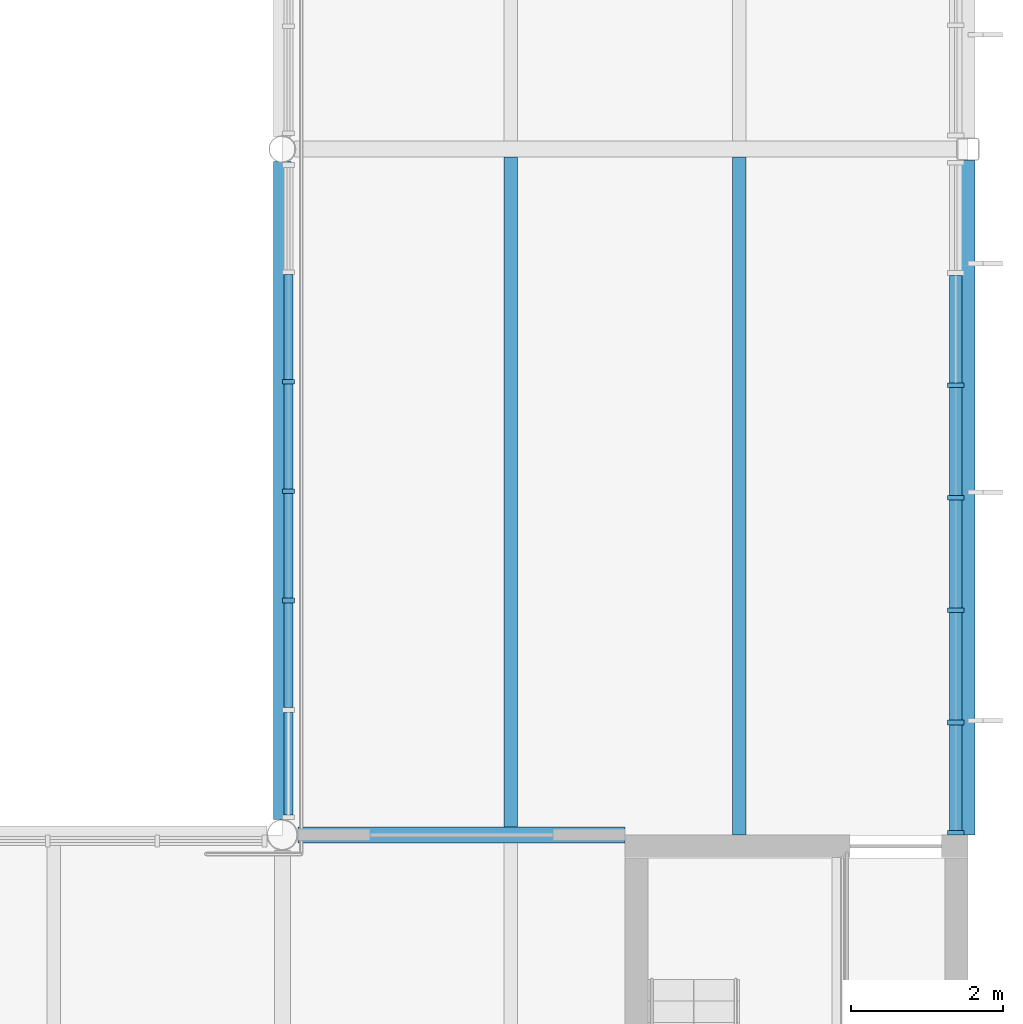
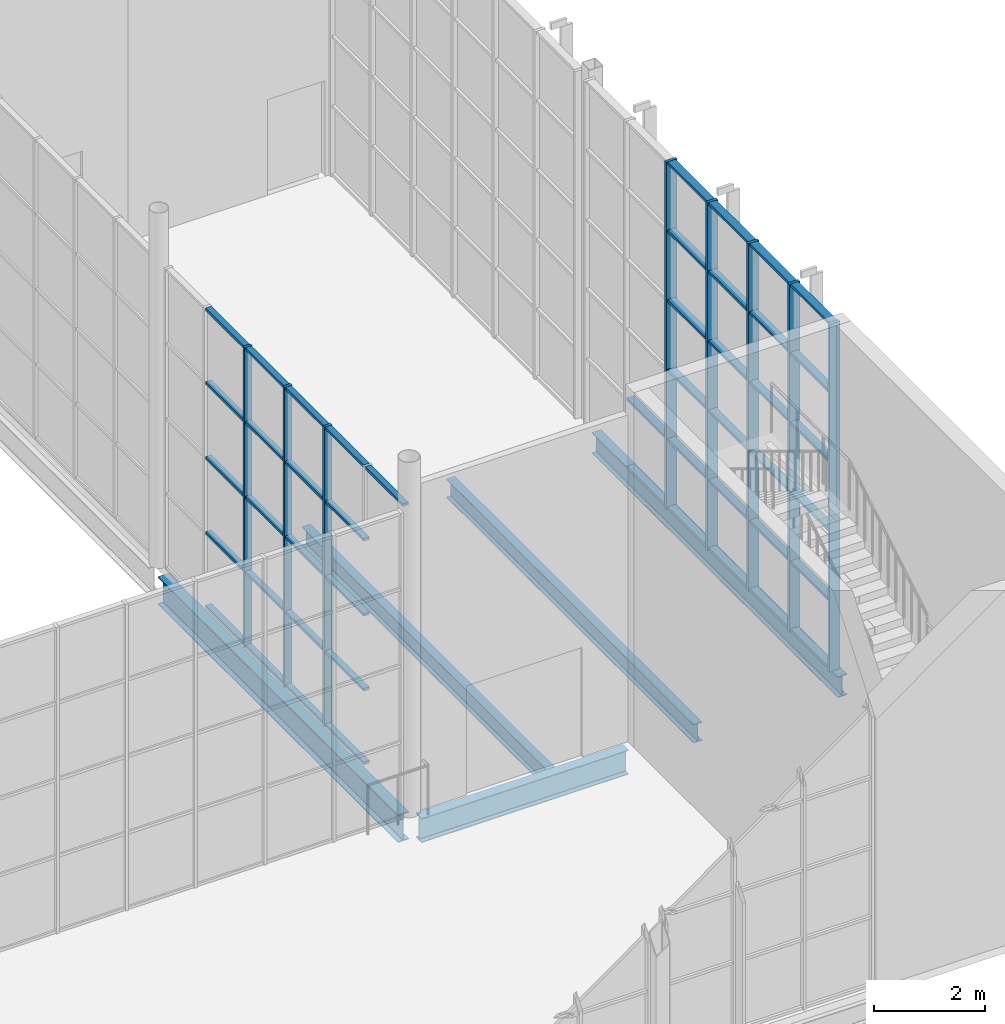
# One storey, part 56 of 90: 55 members, 5 beams, 2 elements without a shape of their own.
"""IFC4 building model written with IfcOpenShell, lengths in metres."""

from ifc_helpers import new_model, si_unit, direction, frame, origin, origin_2d, place, context, subcontext, project, spatial, rectangle, i_section, extrude, material, layer, layer_set, material_profile, profile_set, type_object, element, aggregate, save


model = new_model("IFC4")

# Units and contexts
model_context = context("Model", 3, precision=1e-05, world=origin(), true_north=direction((0.0, 1.0)))
body_context = subcontext(model_context, "Body", "Model", "MODEL_VIEW")
ifc_project = project(units=[si_unit("LENGTHUNIT", "METRE"), si_unit("AREAUNIT", "SQUARE_METRE"), si_unit("VOLUMEUNIT", "CUBIC_METRE"), si_unit("PLANEANGLEUNIT", "RADIAN"), si_unit("MASSUNIT", "GRAM", prefix="KILO")], contexts=[model_context])

# Site, building, storey
site_placement = place(None, origin())
site = spatial("IfcSite", under=ifc_project, at=site_placement, CompositionType="ELEMENT")
building_placement = place(site_placement, origin())
building = spatial("IfcBuilding", under=site, at=building_placement, Name="Halyard Row Museum", CompositionType="ELEMENT")
storey_placement = place(building_placement, frame((0.0, 0.0, 13.39990234375)))
storey = spatial("IfcBuildingStorey", under=building, at=storey_placement, Name="L03", CompositionType="ELEMENT", Elevation=13.39990234375)

# Curtain wall, members
ifc_material_1 = material(Name="Double glazed unit, low-emissivity", Category="glass")
ifc_layer_1 = layer(ifc_material_1, 0.219970703125)
ifc_layer_set_1 = layer_set([ifc_layer_1], Name="Double glazed unit, low-emissivity")
curtain_wall_type_1 = type_object("IfcCurtainWallType", Name="Curtain wall unitised 220 deep", PredefinedType="NOTDEFINED", material=ifc_layer_set_1)
curtain_wall_1_placement = place(storey_placement, origin())
curtain_wall_1 = element("IfcCurtainWall", 1, at=curtain_wall_1_placement, inside=storey, type_object=curtain_wall_type_1, Name="Curtain wall CW048", PredefinedType="NOTDEFINED")
ifc_material_2 = material(Name="Powder-coated aluminium section", Category="aluminium")
ifc_material_profile_1 = material_profile(ifc_material_2, rectangle(XDim=0.219970703125, YDim=0.06005859375, at=origin_2d()), Name="220x60 mullion")
ifc_profile_set_1 = profile_set([ifc_material_profile_1], Name="Powder-coated aluminium section")
member_type_1 = type_object("IfcMemberType", Name="Curtain wall mullion CM3 60 x 220", PredefinedType="MULLION", material=ifc_profile_set_1)
member_1_placement = place(storey_placement, frame((107.840087890625, 9.030029296875, 0.0), z_axis=(0.0, 0.0, 1.0), x_axis=(-1.0, 0.0, 0.0)))
member_1 = element("IfcMember", 2, at=member_1_placement, type_object=member_type_1, Name="CW048 mullion 1", PredefinedType="MULLION", context=body_context, shape_type="SweptSolid", body=[
    extrude(rectangle(XDim=0.219970703125, YDim=0.06005859375, at=origin_2d()), origin(), (0.0, 0.0, 1.0), 7.635009765625),
])
member_2_placement = place(storey_placement, frame((107.840087890625, 10.47509765625, 0.0), z_axis=(0.0, 0.0, 1.0), x_axis=(-1.0, 0.0, 0.0)))
member_2 = element("IfcMember", 3, at=member_2_placement, type_object=member_type_1, Name="CW048 mullion 2", PredefinedType="MULLION", context=body_context, shape_type="SweptSolid", body=[
    extrude(rectangle(XDim=0.219970703125, YDim=0.06005859375, at=origin_2d()), origin(), (0.0, 0.0, 1.0), 7.635009765625),
])
member_3_placement = place(storey_placement, frame((107.840087890625, 11.949951171875, 0.0), z_axis=(0.0, 0.0, 1.0), x_axis=(-1.0, 0.0, 0.0)))
member_3 = element("IfcMember", 4, at=member_3_placement, type_object=member_type_1, Name="CW048 mullion 3", PredefinedType="MULLION", context=body_context, shape_type="SweptSolid", body=[
    extrude(rectangle(XDim=0.219970703125, YDim=0.06005859375, at=origin_2d()), origin(), (0.0, 0.0, 1.0), 7.635009765625),
])
member_4_placement = place(storey_placement, frame((107.840087890625, 13.425048828125, 0.0), z_axis=(0.0, 0.0, 1.0), x_axis=(-1.0, 0.0, 0.0)))
member_4 = element("IfcMember", 5, at=member_4_placement, type_object=member_type_1, Name="CW048 mullion 4", PredefinedType="MULLION", context=body_context, shape_type="SweptSolid", body=[
    extrude(rectangle(XDim=0.219970703125, YDim=0.06005859375, at=origin_2d()), origin(), (0.0, 0.0, 1.0), 7.635009765625),
])
member_5_placement = place(storey_placement, frame((107.840087890625, 14.89990234375, 0.0), z_axis=(0.0, 0.0, 1.0), x_axis=(-1.0, 0.0, 0.0)))
member_5 = element("IfcMember", 6, at=member_5_placement, type_object=member_type_1, Name="CW048 mullion 5", PredefinedType="MULLION", context=body_context, shape_type="SweptSolid", body=[
    extrude(rectangle(XDim=0.219970703125, YDim=0.06005859375, at=origin_2d()), origin(), (0.0, 0.0, 1.0), 7.635009765625),
])

ifc_material_3 = material(Name="Fire-resisting laminated glazing", Category="glass")
ifc_layer_2 = layer(ifc_material_3, 0.159912109375)
ifc_layer_set_2 = layer_set([ifc_layer_2], Name="Fire-resisting laminated glazing")
curtain_wall_type_2 = type_object("IfcCurtainWallType", Name="Curtain wall atrium screen 160 deep", PredefinedType="NOTDEFINED", material=ifc_layer_set_2)
curtain_wall_2_placement = place(storey_placement, origin())
curtain_wall_2 = element("IfcCurtainWall", 7, at=curtain_wall_2_placement, inside=storey, type_object=curtain_wall_type_2, Name="Curtain wall CW096", PredefinedType="NOTDEFINED")
ifc_material_4 = material(Name="Powder-coated aluminium section", Category="aluminium")
ifc_material_profile_2 = material_profile(ifc_material_4, rectangle(XDim=0.159912109375, YDim=0.06005859375, at=origin_2d()), Name="160x60 mullion")
ifc_profile_set_2 = profile_set([ifc_material_profile_2], Name="Powder-coated aluminium section")
member_type_2 = type_object("IfcMemberType", Name="Curtain wall mullion CM5 60 x 160", PredefinedType="MULLION", material=ifc_profile_set_2)
member_6_placement = place(storey_placement, frame((99.080078125, 12.076171875, 0.0), z_axis=(0.0, 0.0, 1.0), x_axis=(-1.0, 0.0, 0.0)))
member_6 = element("IfcMember", 8, at=member_6_placement, type_object=member_type_2, Name="CW096 mullion 3", PredefinedType="MULLION", context=body_context, shape_type="SweptSolid", body=[
    extrude(rectangle(XDim=0.159912109375, YDim=0.06005859375, at=origin_2d()), origin(), (0.0, 0.0, 1.0), 6.585205078125),
])
member_7_placement = place(storey_placement, frame((99.080078125, 13.5126953125, 0.0), z_axis=(0.0, 0.0, 1.0), x_axis=(-1.0, 0.0, 0.0)))
member_7 = element("IfcMember", 9, at=member_7_placement, type_object=member_type_2, Name="CW096 mullion 4", PredefinedType="MULLION", context=body_context, shape_type="SweptSolid", body=[
    extrude(rectangle(XDim=0.159912109375, YDim=0.06005859375, at=origin_2d()), origin(), (0.0, 0.0, 1.0), 6.585205078125),
])
member_8_placement = place(storey_placement, frame((99.080078125, 14.94921875, 0.0), z_axis=(0.0, 0.0, 1.0), x_axis=(-1.0, 0.0, 0.0)))
member_8 = element("IfcMember", 10, at=member_8_placement, type_object=member_type_2, Name="CW096 mullion 5", PredefinedType="MULLION", context=body_context, shape_type="SweptSolid", body=[
    extrude(rectangle(XDim=0.159912109375, YDim=0.06005859375, at=origin_2d()), origin(), (0.0, 0.0, 1.0), 6.585205078125),
])

# Member
ifc_material_5 = material(Name="Powder-coated aluminium section", Category="aluminium")
ifc_material_profile_3 = material_profile(ifc_material_5, rectangle(XDim=0.159912109375, YDim=0.06005859375, at=origin_2d()), Name="160x60 transom")
ifc_profile_set_3 = profile_set([ifc_material_profile_3], Name="Powder-coated aluminium section")
member_type_3 = type_object("IfcMemberType", Name="Curtain wall transom CT3 60 x 160", PredefinedType="USERDEFINED", material=ifc_profile_set_3)
member_9_placement = place(storey_placement, frame((107.840087890625, 9.06005859375, 0.030029296875), z_axis=(0.0, 1.0, 0.0), x_axis=(-1.0, 0.0, 0.0)))
member_9 = element("IfcMember", 11, at=member_9_placement, type_object=member_type_3, Name="CW048 transom 1.1", ObjectType="TRANSOM", PredefinedType="USERDEFINED", context=body_context, shape_type="SweptSolid", body=[
    extrude(rectangle(XDim=0.159912109375, YDim=0.06005859375, at=origin_2d()), origin(), (0.0, 0.0, 1.0), 1.385009765625),
])

member_10_placement = place(storey_placement, frame((107.840087890625, 9.06005859375, 1.527099609375), z_axis=(0.0, 1.0, 0.0), x_axis=(-1.0, 0.0, 0.0)))
member_10 = element("IfcMember", 12, at=member_10_placement, type_object=member_type_3, Name="CW048 transom 1.2", ObjectType="TRANSOM", PredefinedType="USERDEFINED", context=body_context, shape_type="SweptSolid", body=[
    extrude(rectangle(XDim=0.159912109375, YDim=0.06005859375, at=origin_2d()), origin(), (0.0, 0.0, 1.0), 1.385009765625),
])

member_11_placement = place(storey_placement, frame((107.840087890625, 9.06005859375, 3.05419921875), z_axis=(0.0, 1.0, 0.0), x_axis=(-1.0, 0.0, 0.0)))
member_11 = element("IfcMember", 13, at=member_11_placement, type_object=member_type_3, Name="CW048 transom 1.3", ObjectType="TRANSOM", PredefinedType="USERDEFINED", context=body_context, shape_type="SweptSolid", body=[
    extrude(rectangle(XDim=0.159912109375, YDim=0.06005859375, at=origin_2d()), origin(), (0.0, 0.0, 1.0), 1.385009765625),
])

member_12_placement = place(storey_placement, frame((107.840087890625, 9.06005859375, 4.5810546875), z_axis=(0.0, 1.0, 0.0), x_axis=(-1.0, 0.0, 0.0)))
member_12 = element("IfcMember", 14, at=member_12_placement, type_object=member_type_3, Name="CW048 transom 1.4", ObjectType="TRANSOM", PredefinedType="USERDEFINED", context=body_context, shape_type="SweptSolid", body=[
    extrude(rectangle(XDim=0.159912109375, YDim=0.06005859375, at=origin_2d()), origin(), (0.0, 0.0, 1.0), 1.385009765625),
])

member_13_placement = place(storey_placement, frame((107.840087890625, 9.06005859375, 6.108154296875), z_axis=(0.0, 1.0, 0.0), x_axis=(-1.0, 0.0, 0.0)))
member_13 = element("IfcMember", 15, at=member_13_placement, type_object=member_type_3, Name="CW048 transom 1.5", ObjectType="TRANSOM", PredefinedType="USERDEFINED", context=body_context, shape_type="SweptSolid", body=[
    extrude(rectangle(XDim=0.159912109375, YDim=0.06005859375, at=origin_2d()), origin(), (0.0, 0.0, 1.0), 1.385009765625),
])

member_14_placement = place(storey_placement, frame((107.840087890625, 9.06005859375, 7.60498046875), z_axis=(0.0, 1.0, 0.0), x_axis=(-1.0, 0.0, 0.0)))
member_14 = element("IfcMember", 16, at=member_14_placement, type_object=member_type_3, Name="CW048 transom 1.6", ObjectType="TRANSOM", PredefinedType="USERDEFINED", context=body_context, shape_type="SweptSolid", body=[
    extrude(rectangle(XDim=0.159912109375, YDim=0.06005859375, at=origin_2d()), origin(), (0.0, 0.0, 1.0), 1.385009765625),
])

member_15_placement = place(storey_placement, frame((107.840087890625, 10.5048828125, 0.030029296875), z_axis=(0.0, 1.0, 0.0), x_axis=(-1.0, 0.0, 0.0)))
member_15 = element("IfcMember", 17, at=member_15_placement, type_object=member_type_3, Name="CW048 transom 2.1", ObjectType="TRANSOM", PredefinedType="USERDEFINED", context=body_context, shape_type="SweptSolid", body=[
    extrude(rectangle(XDim=0.159912109375, YDim=0.06005859375, at=origin_2d()), origin(), (0.0, 0.0, 1.0), 1.4150390625),
])

member_16_placement = place(storey_placement, frame((107.840087890625, 10.5048828125, 1.527099609375), z_axis=(0.0, 1.0, 0.0), x_axis=(-1.0, 0.0, 0.0)))
member_16 = element("IfcMember", 18, at=member_16_placement, type_object=member_type_3, Name="CW048 transom 2.2", ObjectType="TRANSOM", PredefinedType="USERDEFINED", context=body_context, shape_type="SweptSolid", body=[
    extrude(rectangle(XDim=0.159912109375, YDim=0.06005859375, at=origin_2d()), origin(), (0.0, 0.0, 1.0), 1.4150390625),
])

member_17_placement = place(storey_placement, frame((107.840087890625, 10.5048828125, 3.05419921875), z_axis=(0.0, 1.0, 0.0), x_axis=(-1.0, 0.0, 0.0)))
member_17 = element("IfcMember", 19, at=member_17_placement, type_object=member_type_3, Name="CW048 transom 2.3", ObjectType="TRANSOM", PredefinedType="USERDEFINED", context=body_context, shape_type="SweptSolid", body=[
    extrude(rectangle(XDim=0.159912109375, YDim=0.06005859375, at=origin_2d()), origin(), (0.0, 0.0, 1.0), 1.4150390625),
])

member_18_placement = place(storey_placement, frame((107.840087890625, 10.5048828125, 4.5810546875), z_axis=(0.0, 1.0, 0.0), x_axis=(-1.0, 0.0, 0.0)))
member_18 = element("IfcMember", 20, at=member_18_placement, type_object=member_type_3, Name="CW048 transom 2.4", ObjectType="TRANSOM", PredefinedType="USERDEFINED", context=body_context, shape_type="SweptSolid", body=[
    extrude(rectangle(XDim=0.159912109375, YDim=0.06005859375, at=origin_2d()), origin(), (0.0, 0.0, 1.0), 1.4150390625),
])

member_19_placement = place(storey_placement, frame((107.840087890625, 10.5048828125, 6.108154296875), z_axis=(0.0, 1.0, 0.0), x_axis=(-1.0, 0.0, 0.0)))
member_19 = element("IfcMember", 21, at=member_19_placement, type_object=member_type_3, Name="CW048 transom 2.5", ObjectType="TRANSOM", PredefinedType="USERDEFINED", context=body_context, shape_type="SweptSolid", body=[
    extrude(rectangle(XDim=0.159912109375, YDim=0.06005859375, at=origin_2d()), origin(), (0.0, 0.0, 1.0), 1.4150390625),
])

member_20_placement = place(storey_placement, frame((107.840087890625, 10.5048828125, 7.60498046875), z_axis=(0.0, 1.0, 0.0), x_axis=(-1.0, 0.0, 0.0)))
member_20 = element("IfcMember", 22, at=member_20_placement, type_object=member_type_3, Name="CW048 transom 2.6", ObjectType="TRANSOM", PredefinedType="USERDEFINED", context=body_context, shape_type="SweptSolid", body=[
    extrude(rectangle(XDim=0.159912109375, YDim=0.06005859375, at=origin_2d()), origin(), (0.0, 0.0, 1.0), 1.4150390625),
])

member_21_placement = place(storey_placement, frame((107.840087890625, 11.97998046875, 0.030029296875), z_axis=(0.0, 1.0, 0.0), x_axis=(-1.0, 0.0, 0.0)))
member_21 = element("IfcMember", 23, at=member_21_placement, type_object=member_type_3, Name="CW048 transom 3.1", ObjectType="TRANSOM", PredefinedType="USERDEFINED", context=body_context, shape_type="SweptSolid", body=[
    extrude(rectangle(XDim=0.159912109375, YDim=0.06005859375, at=origin_2d()), origin(), (0.0, 0.0, 1.0), 1.4150390625),
])

member_22_placement = place(storey_placement, frame((107.840087890625, 11.97998046875, 1.527099609375), z_axis=(0.0, 1.0, 0.0), x_axis=(-1.0, 0.0, 0.0)))
member_22 = element("IfcMember", 24, at=member_22_placement, type_object=member_type_3, Name="CW048 transom 3.2", ObjectType="TRANSOM", PredefinedType="USERDEFINED", context=body_context, shape_type="SweptSolid", body=[
    extrude(rectangle(XDim=0.159912109375, YDim=0.06005859375, at=origin_2d()), origin(), (0.0, 0.0, 1.0), 1.4150390625),
])

member_23_placement = place(storey_placement, frame((107.840087890625, 11.97998046875, 3.05419921875), z_axis=(0.0, 1.0, 0.0), x_axis=(-1.0, 0.0, 0.0)))
member_23 = element("IfcMember", 25, at=member_23_placement, type_object=member_type_3, Name="CW048 transom 3.3", ObjectType="TRANSOM", PredefinedType="USERDEFINED", context=body_context, shape_type="SweptSolid", body=[
    extrude(rectangle(XDim=0.159912109375, YDim=0.06005859375, at=origin_2d()), origin(), (0.0, 0.0, 1.0), 1.4150390625),
])

member_24_placement = place(storey_placement, frame((107.840087890625, 11.97998046875, 4.5810546875), z_axis=(0.0, 1.0, 0.0), x_axis=(-1.0, 0.0, 0.0)))
member_24 = element("IfcMember", 26, at=member_24_placement, type_object=member_type_3, Name="CW048 transom 3.4", ObjectType="TRANSOM", PredefinedType="USERDEFINED", context=body_context, shape_type="SweptSolid", body=[
    extrude(rectangle(XDim=0.159912109375, YDim=0.06005859375, at=origin_2d()), origin(), (0.0, 0.0, 1.0), 1.4150390625),
])

member_25_placement = place(storey_placement, frame((107.840087890625, 11.97998046875, 6.108154296875), z_axis=(0.0, 1.0, 0.0), x_axis=(-1.0, 0.0, 0.0)))
member_25 = element("IfcMember", 27, at=member_25_placement, type_object=member_type_3, Name="CW048 transom 3.5", ObjectType="TRANSOM", PredefinedType="USERDEFINED", context=body_context, shape_type="SweptSolid", body=[
    extrude(rectangle(XDim=0.159912109375, YDim=0.06005859375, at=origin_2d()), origin(), (0.0, 0.0, 1.0), 1.4150390625),
])

member_26_placement = place(storey_placement, frame((107.840087890625, 11.97998046875, 7.60498046875), z_axis=(0.0, 1.0, 0.0), x_axis=(-1.0, 0.0, 0.0)))
member_26 = element("IfcMember", 28, at=member_26_placement, type_object=member_type_3, Name="CW048 transom 3.6", ObjectType="TRANSOM", PredefinedType="USERDEFINED", context=body_context, shape_type="SweptSolid", body=[
    extrude(rectangle(XDim=0.159912109375, YDim=0.06005859375, at=origin_2d()), origin(), (0.0, 0.0, 1.0), 1.4150390625),
])

member_27_placement = place(storey_placement, frame((107.840087890625, 13.455078125, 0.030029296875), z_axis=(0.0, 1.0, 0.0), x_axis=(-1.0, 0.0, 0.0)))
member_27 = element("IfcMember", 29, at=member_27_placement, type_object=member_type_3, Name="CW048 transom 4.1", ObjectType="TRANSOM", PredefinedType="USERDEFINED", context=body_context, shape_type="SweptSolid", body=[
    extrude(rectangle(XDim=0.159912109375, YDim=0.06005859375, at=origin_2d()), origin(), (0.0, 0.0, 1.0), 1.4150390625),
])

member_28_placement = place(storey_placement, frame((107.840087890625, 13.455078125, 1.527099609375), z_axis=(0.0, 1.0, 0.0), x_axis=(-1.0, 0.0, 0.0)))
member_28 = element("IfcMember", 30, at=member_28_placement, type_object=member_type_3, Name="CW048 transom 4.2", ObjectType="TRANSOM", PredefinedType="USERDEFINED", context=body_context, shape_type="SweptSolid", body=[
    extrude(rectangle(XDim=0.159912109375, YDim=0.06005859375, at=origin_2d()), origin(), (0.0, 0.0, 1.0), 1.4150390625),
])

member_29_placement = place(storey_placement, frame((107.840087890625, 13.455078125, 3.05419921875), z_axis=(0.0, 1.0, 0.0), x_axis=(-1.0, 0.0, 0.0)))
member_29 = element("IfcMember", 31, at=member_29_placement, type_object=member_type_3, Name="CW048 transom 4.3", ObjectType="TRANSOM", PredefinedType="USERDEFINED", context=body_context, shape_type="SweptSolid", body=[
    extrude(rectangle(XDim=0.159912109375, YDim=0.06005859375, at=origin_2d()), origin(), (0.0, 0.0, 1.0), 1.4150390625),
])

member_30_placement = place(storey_placement, frame((107.840087890625, 13.455078125, 4.5810546875), z_axis=(0.0, 1.0, 0.0), x_axis=(-1.0, 0.0, 0.0)))
member_30 = element("IfcMember", 32, at=member_30_placement, type_object=member_type_3, Name="CW048 transom 4.4", ObjectType="TRANSOM", PredefinedType="USERDEFINED", context=body_context, shape_type="SweptSolid", body=[
    extrude(rectangle(XDim=0.159912109375, YDim=0.06005859375, at=origin_2d()), origin(), (0.0, 0.0, 1.0), 1.4150390625),
])

member_31_placement = place(storey_placement, frame((107.840087890625, 13.455078125, 6.108154296875), z_axis=(0.0, 1.0, 0.0), x_axis=(-1.0, 0.0, 0.0)))
member_31 = element("IfcMember", 33, at=member_31_placement, type_object=member_type_3, Name="CW048 transom 4.5", ObjectType="TRANSOM", PredefinedType="USERDEFINED", context=body_context, shape_type="SweptSolid", body=[
    extrude(rectangle(XDim=0.159912109375, YDim=0.06005859375, at=origin_2d()), origin(), (0.0, 0.0, 1.0), 1.4150390625),
])

member_32_placement = place(storey_placement, frame((107.840087890625, 13.455078125, 7.60498046875), z_axis=(0.0, 1.0, 0.0), x_axis=(-1.0, 0.0, 0.0)))
member_32 = element("IfcMember", 34, at=member_32_placement, type_object=member_type_3, Name="CW048 transom 4.6", ObjectType="TRANSOM", PredefinedType="USERDEFINED", context=body_context, shape_type="SweptSolid", body=[
    extrude(rectangle(XDim=0.159912109375, YDim=0.06005859375, at=origin_2d()), origin(), (0.0, 0.0, 1.0), 1.4150390625),
])

member_33_placement = place(storey_placement, frame((107.840087890625, 14.929931640625, 0.030029296875), z_axis=(0.0, 1.0, 0.0), x_axis=(-1.0, 0.0, 0.0)))
member_33 = element("IfcMember", 35, at=member_33_placement, type_object=member_type_3, Name="CW048 transom 5.1", ObjectType="TRANSOM", PredefinedType="USERDEFINED", context=body_context, shape_type="SweptSolid", body=[
    extrude(rectangle(XDim=0.159912109375, YDim=0.06005859375, at=origin_2d()), origin(), (0.0, 0.0, 1.0), 1.4150390625),
])

member_34_placement = place(storey_placement, frame((107.840087890625, 14.929931640625, 1.527099609375), z_axis=(0.0, 1.0, 0.0), x_axis=(-1.0, 0.0, 0.0)))
member_34 = element("IfcMember", 36, at=member_34_placement, type_object=member_type_3, Name="CW048 transom 5.2", ObjectType="TRANSOM", PredefinedType="USERDEFINED", context=body_context, shape_type="SweptSolid", body=[
    extrude(rectangle(XDim=0.159912109375, YDim=0.06005859375, at=origin_2d()), origin(), (0.0, 0.0, 1.0), 1.4150390625),
])

aggregate(curtain_wall_1, [member_1, member_2, member_3, member_4, member_5, member_9, member_10, member_11, member_12, member_13, member_14, member_15, member_16, member_17, member_18, member_19, member_20, member_21, member_22, member_23, member_24, member_25, member_26, member_27, member_28, member_29, member_30, member_31, member_32, member_33, member_34])

ifc_material_6 = material(Name="Powder-coated aluminium section", Category="aluminium")
ifc_material_profile_4 = material_profile(ifc_material_6, rectangle(XDim=0.1201171875, YDim=0.06005859375, at=origin_2d()), Name="120x60 transom")
ifc_profile_set_4 = profile_set([ifc_material_profile_4], Name="Powder-coated aluminium section")
member_type_4 = type_object("IfcMemberType", Name="Curtain wall transom CT5 60 x 120", PredefinedType="USERDEFINED", material=ifc_profile_set_4)
member_35_placement = place(storey_placement, frame((99.080078125, 9.26318359375, 6.55517578125), z_axis=(0.0, 1.0, 0.0), x_axis=(-1.0, 0.0, 0.0)))
member_35 = element("IfcMember", 37, at=member_35_placement, type_object=member_type_4, Name="CW096 transom 1.5", ObjectType="TRANSOM", PredefinedType="USERDEFINED", context=body_context, shape_type="SweptSolid", body=[
    extrude(rectangle(XDim=0.1201171875, YDim=0.06005859375, at=origin_2d()), origin(), (0.0, 0.0, 1.0), 1.346435546875),
])

member_36_placement = place(storey_placement, frame((99.080078125, 10.669677734375, 0.030029296875), z_axis=(0.0, 1.0, 0.0), x_axis=(-1.0, 0.0, 0.0)))
member_36 = element("IfcMember", 38, at=member_36_placement, type_object=member_type_4, Name="CW096 transom 2.1", ObjectType="TRANSOM", PredefinedType="USERDEFINED", context=body_context, shape_type="SweptSolid", body=[
    extrude(rectangle(XDim=0.1201171875, YDim=0.06005859375, at=origin_2d()), origin(), (0.0, 0.0, 1.0), 1.37646484375),
])

member_37_placement = place(storey_placement, frame((99.080078125, 10.669677734375, 1.646240234375), z_axis=(0.0, 1.0, 0.0), x_axis=(-1.0, 0.0, 0.0)))
member_37 = element("IfcMember", 39, at=member_37_placement, type_object=member_type_4, Name="CW096 transom 2.2", ObjectType="TRANSOM", PredefinedType="USERDEFINED", context=body_context, shape_type="SweptSolid", body=[
    extrude(rectangle(XDim=0.1201171875, YDim=0.06005859375, at=origin_2d()), origin(), (0.0, 0.0, 1.0), 1.37646484375),
])

member_38_placement = place(storey_placement, frame((99.080078125, 10.669677734375, 3.29248046875), z_axis=(0.0, 1.0, 0.0), x_axis=(-1.0, 0.0, 0.0)))
member_38 = element("IfcMember", 40, at=member_38_placement, type_object=member_type_4, Name="CW096 transom 2.3", ObjectType="TRANSOM", PredefinedType="USERDEFINED", context=body_context, shape_type="SweptSolid", body=[
    extrude(rectangle(XDim=0.1201171875, YDim=0.06005859375, at=origin_2d()), origin(), (0.0, 0.0, 1.0), 1.37646484375),
])

member_39_placement = place(storey_placement, frame((99.080078125, 10.669677734375, 4.93896484375), z_axis=(0.0, 1.0, 0.0), x_axis=(-1.0, 0.0, 0.0)))
member_39 = element("IfcMember", 41, at=member_39_placement, type_object=member_type_4, Name="CW096 transom 2.4", ObjectType="TRANSOM", PredefinedType="USERDEFINED", context=body_context, shape_type="SweptSolid", body=[
    extrude(rectangle(XDim=0.1201171875, YDim=0.06005859375, at=origin_2d()), origin(), (0.0, 0.0, 1.0), 1.37646484375),
])

member_40_placement = place(storey_placement, frame((99.080078125, 10.669677734375, 6.55517578125), z_axis=(0.0, 1.0, 0.0), x_axis=(-1.0, 0.0, 0.0)))
member_40 = element("IfcMember", 42, at=member_40_placement, type_object=member_type_4, Name="CW096 transom 2.5", ObjectType="TRANSOM", PredefinedType="USERDEFINED", context=body_context, shape_type="SweptSolid", body=[
    extrude(rectangle(XDim=0.1201171875, YDim=0.06005859375, at=origin_2d()), origin(), (0.0, 0.0, 1.0), 1.37646484375),
])

member_41_placement = place(storey_placement, frame((99.080078125, 12.106201171875, 0.030029296875), z_axis=(0.0, 1.0, 0.0), x_axis=(-1.0, 0.0, 0.0)))
member_41 = element("IfcMember", 43, at=member_41_placement, type_object=member_type_4, Name="CW096 transom 3.1", ObjectType="TRANSOM", PredefinedType="USERDEFINED", context=body_context, shape_type="SweptSolid", body=[
    extrude(rectangle(XDim=0.1201171875, YDim=0.06005859375, at=origin_2d()), origin(), (0.0, 0.0, 1.0), 1.37646484375),
])

member_42_placement = place(storey_placement, frame((99.080078125, 12.106201171875, 1.646240234375), z_axis=(0.0, 1.0, 0.0), x_axis=(-1.0, 0.0, 0.0)))
member_42 = element("IfcMember", 44, at=member_42_placement, type_object=member_type_4, Name="CW096 transom 3.2", ObjectType="TRANSOM", PredefinedType="USERDEFINED", context=body_context, shape_type="SweptSolid", body=[
    extrude(rectangle(XDim=0.1201171875, YDim=0.06005859375, at=origin_2d()), origin(), (0.0, 0.0, 1.0), 1.37646484375),
])

member_43_placement = place(storey_placement, frame((99.080078125, 12.106201171875, 3.29248046875), z_axis=(0.0, 1.0, 0.0), x_axis=(-1.0, 0.0, 0.0)))
member_43 = element("IfcMember", 45, at=member_43_placement, type_object=member_type_4, Name="CW096 transom 3.3", ObjectType="TRANSOM", PredefinedType="USERDEFINED", context=body_context, shape_type="SweptSolid", body=[
    extrude(rectangle(XDim=0.1201171875, YDim=0.06005859375, at=origin_2d()), origin(), (0.0, 0.0, 1.0), 1.37646484375),
])

member_44_placement = place(storey_placement, frame((99.080078125, 12.106201171875, 4.93896484375), z_axis=(0.0, 1.0, 0.0), x_axis=(-1.0, 0.0, 0.0)))
member_44 = element("IfcMember", 46, at=member_44_placement, type_object=member_type_4, Name="CW096 transom 3.4", ObjectType="TRANSOM", PredefinedType="USERDEFINED", context=body_context, shape_type="SweptSolid", body=[
    extrude(rectangle(XDim=0.1201171875, YDim=0.06005859375, at=origin_2d()), origin(), (0.0, 0.0, 1.0), 1.37646484375),
])

member_45_placement = place(storey_placement, frame((99.080078125, 12.106201171875, 6.55517578125), z_axis=(0.0, 1.0, 0.0), x_axis=(-1.0, 0.0, 0.0)))
member_45 = element("IfcMember", 47, at=member_45_placement, type_object=member_type_4, Name="CW096 transom 3.5", ObjectType="TRANSOM", PredefinedType="USERDEFINED", context=body_context, shape_type="SweptSolid", body=[
    extrude(rectangle(XDim=0.1201171875, YDim=0.06005859375, at=origin_2d()), origin(), (0.0, 0.0, 1.0), 1.37646484375),
])

member_46_placement = place(storey_placement, frame((99.080078125, 13.542724609375, 0.030029296875), z_axis=(0.0, 1.0, 0.0), x_axis=(-1.0, 0.0, 0.0)))
member_46 = element("IfcMember", 48, at=member_46_placement, type_object=member_type_4, Name="CW096 transom 4.1", ObjectType="TRANSOM", PredefinedType="USERDEFINED", context=body_context, shape_type="SweptSolid", body=[
    extrude(rectangle(XDim=0.1201171875, YDim=0.06005859375, at=origin_2d()), origin(), (0.0, 0.0, 1.0), 1.37646484375),
])

member_47_placement = place(storey_placement, frame((99.080078125, 13.542724609375, 1.646240234375), z_axis=(0.0, 1.0, 0.0), x_axis=(-1.0, 0.0, 0.0)))
member_47 = element("IfcMember", 49, at=member_47_placement, type_object=member_type_4, Name="CW096 transom 4.2", ObjectType="TRANSOM", PredefinedType="USERDEFINED", context=body_context, shape_type="SweptSolid", body=[
    extrude(rectangle(XDim=0.1201171875, YDim=0.06005859375, at=origin_2d()), origin(), (0.0, 0.0, 1.0), 1.37646484375),
])

member_48_placement = place(storey_placement, frame((99.080078125, 13.542724609375, 3.29248046875), z_axis=(0.0, 1.0, 0.0), x_axis=(-1.0, 0.0, 0.0)))
member_48 = element("IfcMember", 50, at=member_48_placement, type_object=member_type_4, Name="CW096 transom 4.3", ObjectType="TRANSOM", PredefinedType="USERDEFINED", context=body_context, shape_type="SweptSolid", body=[
    extrude(rectangle(XDim=0.1201171875, YDim=0.06005859375, at=origin_2d()), origin(), (0.0, 0.0, 1.0), 1.37646484375),
])

member_49_placement = place(storey_placement, frame((99.080078125, 13.542724609375, 4.93896484375), z_axis=(0.0, 1.0, 0.0), x_axis=(-1.0, 0.0, 0.0)))
member_49 = element("IfcMember", 51, at=member_49_placement, type_object=member_type_4, Name="CW096 transom 4.4", ObjectType="TRANSOM", PredefinedType="USERDEFINED", context=body_context, shape_type="SweptSolid", body=[
    extrude(rectangle(XDim=0.1201171875, YDim=0.06005859375, at=origin_2d()), origin(), (0.0, 0.0, 1.0), 1.37646484375),
])

member_50_placement = place(storey_placement, frame((99.080078125, 13.542724609375, 6.55517578125), z_axis=(0.0, 1.0, 0.0), x_axis=(-1.0, 0.0, 0.0)))
member_50 = element("IfcMember", 52, at=member_50_placement, type_object=member_type_4, Name="CW096 transom 4.5", ObjectType="TRANSOM", PredefinedType="USERDEFINED", context=body_context, shape_type="SweptSolid", body=[
    extrude(rectangle(XDim=0.1201171875, YDim=0.06005859375, at=origin_2d()), origin(), (0.0, 0.0, 1.0), 1.37646484375),
])

member_51_placement = place(storey_placement, frame((99.080078125, 14.979248046875, 0.030029296875), z_axis=(0.0, 1.0, 0.0), x_axis=(-1.0, 0.0, 0.0)))
member_51 = element("IfcMember", 53, at=member_51_placement, type_object=member_type_4, Name="CW096 transom 5.1", ObjectType="TRANSOM", PredefinedType="USERDEFINED", context=body_context, shape_type="SweptSolid", body=[
    extrude(rectangle(XDim=0.1201171875, YDim=0.06005859375, at=origin_2d()), origin(), (0.0, 0.0, 1.0), 1.37646484375),
])

member_52_placement = place(storey_placement, frame((99.080078125, 14.979248046875, 1.646240234375), z_axis=(0.0, 1.0, 0.0), x_axis=(-1.0, 0.0, 0.0)))
member_52 = element("IfcMember", 54, at=member_52_placement, type_object=member_type_4, Name="CW096 transom 5.2", ObjectType="TRANSOM", PredefinedType="USERDEFINED", context=body_context, shape_type="SweptSolid", body=[
    extrude(rectangle(XDim=0.1201171875, YDim=0.06005859375, at=origin_2d()), origin(), (0.0, 0.0, 1.0), 1.37646484375),
])

member_53_placement = place(storey_placement, frame((99.080078125, 14.979248046875, 3.29248046875), z_axis=(0.0, 1.0, 0.0), x_axis=(-1.0, 0.0, 0.0)))
member_53 = element("IfcMember", 55, at=member_53_placement, type_object=member_type_4, Name="CW096 transom 5.3", ObjectType="TRANSOM", PredefinedType="USERDEFINED", context=body_context, shape_type="SweptSolid", body=[
    extrude(rectangle(XDim=0.1201171875, YDim=0.06005859375, at=origin_2d()), origin(), (0.0, 0.0, 1.0), 1.37646484375),
])

member_54_placement = place(storey_placement, frame((99.080078125, 14.979248046875, 4.93896484375), z_axis=(0.0, 1.0, 0.0), x_axis=(-1.0, 0.0, 0.0)))
member_54 = element("IfcMember", 56, at=member_54_placement, type_object=member_type_4, Name="CW096 transom 5.4", ObjectType="TRANSOM", PredefinedType="USERDEFINED", context=body_context, shape_type="SweptSolid", body=[
    extrude(rectangle(XDim=0.1201171875, YDim=0.06005859375, at=origin_2d()), origin(), (0.0, 0.0, 1.0), 1.37646484375),
])

member_55_placement = place(storey_placement, frame((99.080078125, 14.979248046875, 6.55517578125), z_axis=(0.0, 1.0, 0.0), x_axis=(-1.0, 0.0, 0.0)))
member_55 = element("IfcMember", 57, at=member_55_placement, type_object=member_type_4, Name="CW096 transom 5.5", ObjectType="TRANSOM", PredefinedType="USERDEFINED", context=body_context, shape_type="SweptSolid", body=[
    extrude(rectangle(XDim=0.1201171875, YDim=0.06005859375, at=origin_2d()), origin(), (0.0, 0.0, 1.0), 1.37646484375),
])

aggregate(curtain_wall_2, [member_6, member_7, member_8, member_35, member_36, member_37, member_38, member_39, member_40, member_41, member_42, member_43, member_44, member_45, member_46, member_47, member_48, member_49, member_50, member_51, member_52, member_53, member_54, member_55])

# Beams
ifc_material_7 = material(Name="Steel Grade 300", Category="steel")
ifc_material_profile_5 = material_profile(ifc_material_7, i_section(OverallWidth=0.18994140625, OverallDepth=0.45751953125, WebThickness=0.009033203125, FlangeThickness=0.014404296875, FilletRadius=0.011474609375, at=origin_2d()), Name="460UB74.6")
ifc_profile_set_5 = profile_set([ifc_material_profile_5], Name="Steel Grade 300")
beam_type_1 = type_object("IfcBeamType", Name="Edge beam 460UB74.6", PredefinedType="BEAM", material=ifc_profile_set_5)
beam_1_placement = place(storey_placement, frame((108.0, 9.0, -0.3935546875), z_axis=(0.0, 1.0, 0.0), x_axis=(-1.0, 0.0, 0.0)))
element("IfcBeam", 58, at=beam_1_placement, inside=storey, type_object=beam_type_1, Name="Beam L03-071", PredefinedType="BEAM", context=body_context, shape_type="SweptSolid", body=[
    extrude(i_section(OverallWidth=0.18994140625, OverallDepth=0.45751953125, WebThickness=0.009033203125, FlangeThickness=0.014404296875, FilletRadius=0.011474609375, at=origin_2d()), origin(), (0.0, 0.0, 1.0), 8.85009765625),
])
ifc_material_8 = material(Name="Steel Grade 300", Category="steel")
ifc_material_profile_6 = material_profile(ifc_material_8, i_section(OverallWidth=0.208984375, OverallDepth=0.532958984375, WebThickness=0.01025390625, FlangeThickness=0.015625, FilletRadius=0.013916015625, at=origin_2d()), Name="530UB92.4")
ifc_profile_set_6 = profile_set([ifc_material_profile_6], Name="Steel Grade 300")
beam_type_2 = type_object("IfcBeamType", Name="Girder beam 530UB92.4", PredefinedType="BEAM", material=ifc_profile_set_6)
beam_2_placement = place(storey_placement, frame((99.203125, 9.0, -0.431396484375), z_axis=(1.0, 0.0, 0.0), x_axis=(0.0, 1.0, 0.0)))
element("IfcBeam", 59, at=beam_2_placement, inside=storey, type_object=beam_type_2, Name="Beam L03-011", PredefinedType="BEAM", context=body_context, shape_type="SweptSolid", body=[
    extrude(i_section(OverallWidth=0.208984375, OverallDepth=0.532958984375, WebThickness=0.01025390625, FlangeThickness=0.015625, FilletRadius=0.013916015625, at=origin_2d()), origin(), (0.0, 0.0, 1.0), 4.296875),
])
ifc_material_9 = material(Name="Steel Grade 300", Category="steel")
ifc_material_profile_7 = material_profile(ifc_material_9, i_section(OverallWidth=0.177978515625, OverallDepth=0.406494140625, WebThickness=0.0078125, FlangeThickness=0.0126953125, FilletRadius=0.011474609375, at=origin_2d()), Name="410UB59.7")
ifc_profile_set_7 = profile_set([ifc_material_profile_7], Name="Steel Grade 300")
beam_type_3 = type_object("IfcBeamType", Name="Secondary beam 410UB59.7", PredefinedType="BEAM", material=ifc_profile_set_7)
beam_3_placement = place(storey_placement, frame((105.0, 9.0, -0.3681640625), z_axis=(0.0, 1.0, 0.0), x_axis=(-1.0, 0.0, 0.0)))
element("IfcBeam", 60, at=beam_3_placement, inside=storey, type_object=beam_type_3, Name="Beam L03-082", PredefinedType="BEAM", context=body_context, shape_type="SweptSolid", body=[
    extrude(i_section(OverallWidth=0.177978515625, OverallDepth=0.406494140625, WebThickness=0.0078125, FlangeThickness=0.0126953125, FilletRadius=0.011474609375, at=origin_2d()), origin(), (0.0, 0.0, 1.0), 8.8955078125),
])
beam_4_placement = place(storey_placement, frame((102.0, 9.1044921875, -0.3681640625), z_axis=(0.0, 1.0, 0.0), x_axis=(-1.0, 0.0, 0.0)))
element("IfcBeam", 61, at=beam_4_placement, inside=storey, type_object=beam_type_3, Name="Beam L03-084", PredefinedType="BEAM", context=body_context, shape_type="SweptSolid", body=[
    extrude(i_section(OverallWidth=0.177978515625, OverallDepth=0.406494140625, WebThickness=0.0078125, FlangeThickness=0.0126953125, FilletRadius=0.011474609375, at=origin_2d()), origin(), (0.0, 0.0, 1.0), 8.791015625),
])
ifc_material_10 = material(Name="Steel Grade 300", Category="steel")
ifc_material_profile_8 = material_profile(ifc_material_10, i_section(OverallWidth=0.22802734375, OverallDepth=0.60693359375, WebThickness=0.01123046875, FlangeThickness=0.017333984375, FilletRadius=0.013916015625, at=origin_2d()), Name="610UB113")
ifc_profile_set_8 = profile_set([ifc_material_profile_8], Name="Steel Grade 300")
beam_type_4 = type_object("IfcBeamType", Name="Void edge beam 610UB113", PredefinedType="BEAM", material=ifc_profile_set_8)
beam_5_placement = place(storey_placement, frame((99.0, 9.203125, -0.468505859375), z_axis=(0.0, 1.0, 0.0), x_axis=(-1.0, 0.0, 0.0)))
element("IfcBeam", 62, at=beam_5_placement, inside=storey, type_object=beam_type_4, Name="Beam L03-066", PredefinedType="BEAM", context=body_context, shape_type="SweptSolid", body=[
    extrude(i_section(OverallWidth=0.22802734375, OverallDepth=0.60693359375, WebThickness=0.01123046875, FlangeThickness=0.017333984375, FilletRadius=0.013916015625, at=origin_2d()), origin(), (0.0, 0.0, 1.0), 8.635009765625),
])

save(model, "model.ifc")
